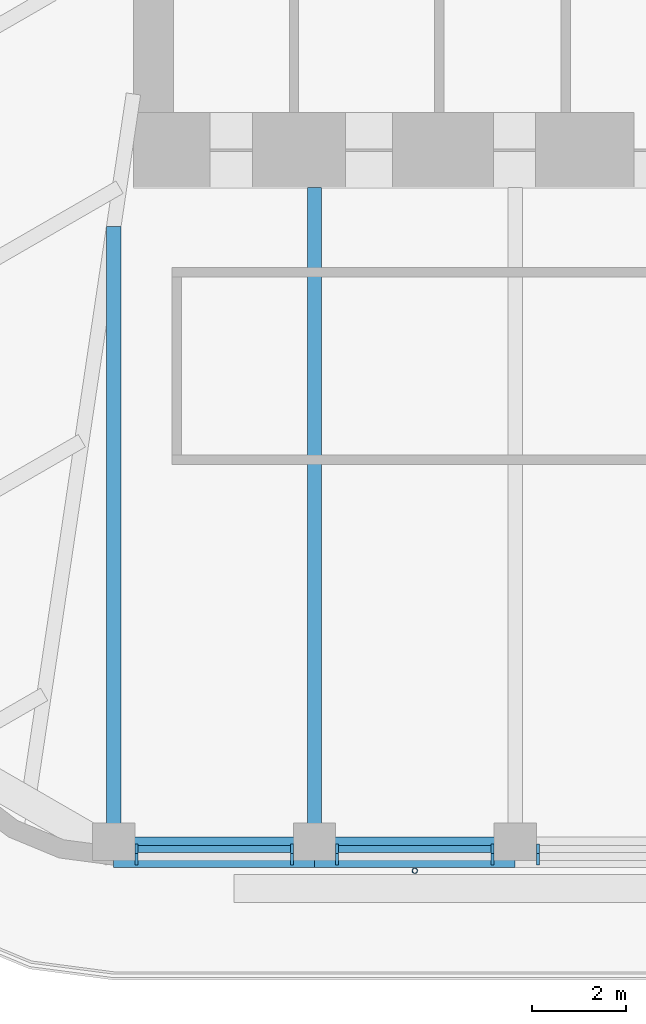
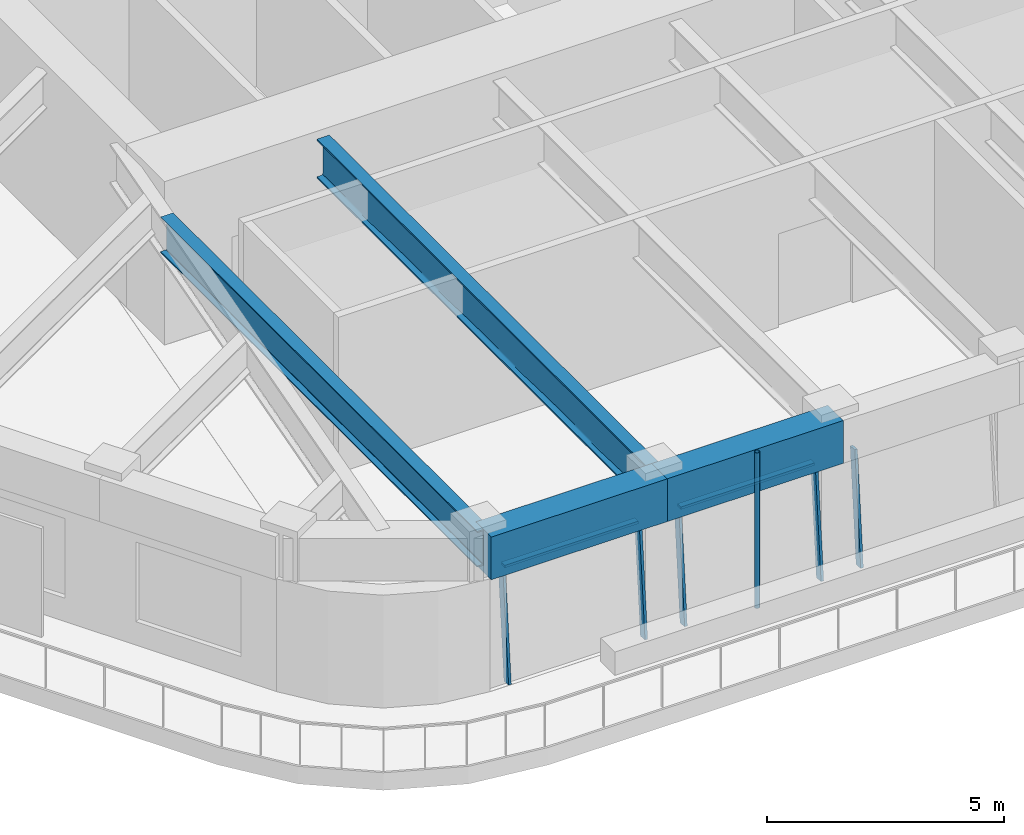
# One storey, part 2 of 19: 8 members, 4 beams, 3 elements without a shape of their own.
"""IFC4 building model written with IfcOpenShell, lengths in metres."""

import ifcopenshell
import ifcopenshell.guid

model = None  # the IFC model being written
_history = None  # IfcOwnerHistory: only IFC2X3 demands one
_inside = {}  # id of a spatial element -> (the spatial element, [elements in it])
_under = {}  # id of a project, library or spatial element -> (it, [spatial elements below it])
_declared = {}  # id of a project -> (the project, [libraries it declares])
_typed = {}  # id of a type object -> (the type object, [elements of that type])
_made_of = {}  # id of a material, layer set ... -> (it, [elements and type objects made of it])


def new_model(schema):
    """Start an empty IFC model of exactly this schema.

    Asked for "IFC4X3", IfcOpenShell would pick the latest addendum, in which some entities
    have other attributes; the version numbers below select the first issue.
    IFC2X3 requires an IfcOwnerHistory on every rooted entity: one is made here for all.
    """
    global model, _history
    if schema == "IFC4X3":
        model = ifcopenshell.file(schema_version=(4, 3, 0, 0))
    else:
        model = ifcopenshell.file(schema=schema)
    _inside.clear()
    _under.clear()
    _declared.clear()
    _typed.clear()
    _made_of.clear()
    _history = None
    if model.schema == "IFC2X3":
        org = make("IfcOrganization", Name="unknown")
        user = make(
            "IfcPersonAndOrganization",
            ThePerson=make("IfcPerson", FamilyName="unknown"),
            TheOrganization=org,
        )
        app = make(
            "IfcApplication",
            ApplicationDeveloper=org,
            Version="unknown",
            ApplicationFullName="unknown",
            ApplicationIdentifier="unknown",
        )
        _history = make(
            "IfcOwnerHistory",
            OwningUser=user,
            OwningApplication=app,
            ChangeAction="ADDED",
            CreationDate=0,
        )
    return model


def make(cls, **values):
    """One entity of the class cls with the attributes given. An attribute that is None is left unset."""
    return model.create_entity(
        cls, **{name: value for name, value in values.items() if value is not None}
    )


def rooted(cls, **values):
    """An entity with a GlobalId (a new one), such as an element, a storey or a relation."""
    return make(cls, GlobalId=ifcopenshell.guid.new(), OwnerHistory=_history, **values)


def si_unit(unit_type, name, prefix=None):
    """IfcSIUnit, for example si_unit("LENGTHUNIT", "METRE", prefix="MILLI")."""
    return make("IfcSIUnit", UnitType=unit_type, Prefix=prefix, Name=name)


def assignment(units):
    """IfcUnitAssignment: the units of a project."""
    return None if units is None else make("IfcUnitAssignment", Units=units)


def point(xyz):
    """IfcCartesianPoint."""
    return None if xyz is None else make("IfcCartesianPoint", Coordinates=xyz)


def direction(xyz):
    """IfcDirection."""
    return None if xyz is None else make("IfcDirection", DirectionRatios=xyz)


def frame(location, z_axis=None, x_axis=None):
    """IfcAxis2Placement3D, a coordinate frame: its origin and axes. An axis left out is left unset."""
    return make(
        "IfcAxis2Placement3D",
        Location=point(location),
        Axis=direction(z_axis),
        RefDirection=direction(x_axis),
    )


def frame_2d(location, x_axis=None):
    """IfcAxis2Placement2D, a coordinate frame in the plane: its origin and x axis."""
    return make(
        "IfcAxis2Placement2D", Location=point(location), RefDirection=direction(x_axis)
    )


def origin():
    """The frame at (0, 0, 0) with its axes left unset."""
    return frame((0.0, 0.0, 0.0))


def origin_2d():
    """The frame at (0, 0) in the plane with its x axis left unset."""
    return frame_2d((0.0, 0.0))


def place(relative_to, where):
    """IfcLocalPlacement: puts the frame where relative to a parent placement (None: the world)."""
    return make(
        "IfcLocalPlacement", PlacementRelTo=relative_to, RelativePlacement=where
    )


def context(
    kind, dimensions, precision=None, world=None, true_north=None, identifier=None
):
    """IfcGeometricRepresentationContext, for example the 3D "Model" context."""
    return make(
        "IfcGeometricRepresentationContext",
        ContextIdentifier=identifier,
        ContextType=kind,
        CoordinateSpaceDimension=dimensions,
        Precision=precision,
        WorldCoordinateSystem=world,
        TrueNorth=true_north,
    )


def subcontext(parent, identifier, kind, view, scale=None):
    """IfcGeometricRepresentationSubContext, for example "Body" below "Model"."""
    return make(
        "IfcGeometricRepresentationSubContext",
        ContextIdentifier=identifier,
        ContextType=kind,
        ParentContext=parent,
        TargetScale=scale,
        TargetView=view,
    )


def project(units=None, contexts=None):
    """IfcProject with its units and contexts."""
    return rooted(
        "IfcProject",
        Name="project",
        RepresentationContexts=contexts,
        UnitsInContext=assignment(units),
    )


def spatial(cls, under=None, at=None, **own):
    """A site, building, storey or space (cls), placed at a placement, below another one or the project."""
    s = rooted(cls, ObjectPlacement=at, **own)
    if under is not None:
        _under.setdefault(under.id(), (under, []))[1].append(s)
    return s


def profile(cls, at=None, kind="AREA", **sizes):
    """A parametric profile (cls). Its sizes go by their IFC names, for example OverallWidth=200.0."""
    return make(cls, ProfileType=kind, Position=at, **sizes)


def rectangle(**sizes):
    """IfcRectangleProfileDef."""
    return profile("IfcRectangleProfileDef", **sizes)


def hollow_circle(**sizes):
    """IfcCircleHollowProfileDef."""
    return profile("IfcCircleHollowProfileDef", **sizes)


def i_section(**sizes):
    """IfcIShapeProfileDef."""
    return profile("IfcIShapeProfileDef", **sizes)


def extrude(swept, where, along, depth):
    """IfcExtrudedAreaSolid: the profile swept, set in the frame where, extruded along a direction by depth."""
    return make(
        "IfcExtrudedAreaSolid",
        SweptArea=swept,
        Position=where,
        ExtrudedDirection=direction(along),
        Depth=depth,
    )


def shape(context_of_items, identifier, shape_type, items):
    """IfcShapeRepresentation: the items that make up one representation, for example the "Body"."""
    return make(
        "IfcShapeRepresentation",
        ContextOfItems=context_of_items,
        RepresentationIdentifier=identifier,
        RepresentationType=shape_type,
        Items=items,
    )


def material(Name=None, Category=None):
    """IfcMaterial."""
    return make("IfcMaterial", Name=Name, Category=Category)


def material_profile(
    of_material, cross_section, Name=None, Category=None, Priority=None
):
    """IfcMaterialProfile: a cross section and its material."""
    return make(
        "IfcMaterialProfile",
        Name=Name,
        Material=of_material,
        Profile=cross_section,
        Priority=Priority,
        Category=Category,
    )


def profile_set(profiles, Name=None, composite=None):
    """IfcMaterialProfileSet."""
    return make(
        "IfcMaterialProfileSet",
        Name=Name,
        MaterialProfiles=profiles,
        CompositeProfile=composite,
    )


def made_of(thing, what):
    """Note that an element or type object is made of a material, layer set ...; save() writes the relation."""
    if what is not None:
        _made_of.setdefault(what.id(), (what, []))[1].append(thing)
    return thing


def type_object(cls, material=None, **own):
    """A type object (cls), such as IfcWallType, which elements share."""
    return made_of(rooted(cls, **own), material)


def element(
    cls,
    number,
    at=None,
    inside=None,
    cuts=None,
    type_object=None,
    material=None,
    context=None,
    identifier="Body",
    shape_type=None,
    held_by="IfcProductDefinitionShape",
    body=None,
    shapes=None,
    **own,
):
    """One element of the class cls, such as IfcWall. Its Tag is "e" and its number.

    at: its placement. inside: the storey or other place that contains it. cuts: it is an
    opening in that element (IfcRelVoidsElement). A single representation is given by context,
    identifier, shape_type and body (its items); several are given by shapes. held_by: the class
    of the entity that holds the representations. save() writes the other relations.
    """
    e = rooted(cls, Tag="e%d" % number, ObjectPlacement=at, **own)
    if body is not None:
        shapes = [shape(context, identifier, shape_type, body)]
    if shapes is not None:
        e.Representation = make(held_by, Representations=shapes)
    if inside is not None:
        _inside.setdefault(inside.id(), (inside, []))[1].append(e)
    if cuts is not None:
        rooted(
            "IfcRelVoidsElement", RelatingBuildingElement=cuts, RelatedOpeningElement=e
        )
    if type_object is not None:
        _typed.setdefault(type_object.id(), (type_object, []))[1].append(e)
    return made_of(e, material)


def aggregate(whole, parts):
    """IfcRelAggregates: a whole, such as a stair, and the parts it consists of."""
    return rooted("IfcRelAggregates", RelatingObject=whole, RelatedObjects=parts)


def save(model, path):
    """Write the relations noted so far, then the file.

    IfcRelAggregates (storeys below a building ...), IfcRelContainedInSpatialStructure (elements
    in a storey), IfcRelDefinesByType, IfcRelAssociatesMaterial and IfcRelDeclares: one each for
    every whole, place, type object, material and project.
    """
    for whole, parts in _under.values():
        aggregate(whole, parts)
    for where, things in _inside.values():
        rooted(
            "IfcRelContainedInSpatialStructure",
            RelatedElements=things,
            RelatingStructure=where,
        )
    for kind, things in _typed.values():
        rooted("IfcRelDefinesByType", RelatedObjects=things, RelatingType=kind)
    for what, things in _made_of.values():
        rooted("IfcRelAssociatesMaterial", RelatedObjects=things, RelatingMaterial=what)
    for by, libraries in _declared.values():
        rooted("IfcRelDeclares", RelatingContext=by, RelatedDefinitions=libraries)
    model.write(path)


model = new_model("IFC4")

# Units and contexts
model_context = context("Model", 3, precision=1e-05, world=origin(), true_north=direction((0.0, 1.0)))
body_context = subcontext(model_context, "Body", "Model", "MODEL_VIEW")
ifc_project = project(units=[si_unit("LENGTHUNIT", "METRE"), si_unit("AREAUNIT", "SQUARE_METRE"), si_unit("VOLUMEUNIT", "CUBIC_METRE"), si_unit("PLANEANGLEUNIT", "RADIAN"), si_unit("MASSUNIT", "GRAM", prefix="KILO")], contexts=[model_context])

# Site, building, storey
site_placement = place(None, origin())
site = spatial("IfcSite", under=ifc_project, at=site_placement, CompositionType="ELEMENT")
building_placement = place(site_placement, origin())
building = spatial("IfcBuilding", under=site, at=building_placement, Name="Tarfa Lantern Tower", CompositionType="ELEMENT")
storey_placement = place(building_placement, frame((0.0, 0.0, 353.5)))
storey = spatial("IfcBuildingStorey", under=building, at=storey_placement, Name="L80", CompositionType="ELEMENT", Elevation=353.5)

# Curtain wall, members
ifc_material_1 = material(Name="Aluminium framed curtain wall", Category="aluminium")
curtain_wall_type = type_object("IfcCurtainWallType", Name="CW4 CANTED GLAZING EXECUTIVE ZONE 2900", PredefinedType="USERDEFINED", material=ifc_material_1)
curtain_wall_1_placement = place(storey_placement, origin())
curtain_wall_1 = element("IfcCurtainWall", 1, at=curtain_wall_1_placement, inside=storey, type_object=curtain_wall_type, Name="CW4 S L80", ObjectType="CURTAIN WALL", PredefinedType="USERDEFINED")
ifc_material_2 = material(Name="Aluminium mullion", Category="aluminium")
ifc_material_profile_1 = material_profile(ifc_material_2, rectangle(XDim=0.06494140625, YDim=0.199951171875, at=origin_2d()), Name="AL MULLION 65x200")
ifc_profile_set_1 = profile_set([ifc_material_profile_1], Name="Aluminium mullion")
member_type_1 = type_object("IfcMemberType", Name="CWM1 MULLION 65x200", PredefinedType="MULLION", material=ifc_profile_set_1)
member_1_placement = place(storey_placement, frame((-12.363525390625, -26.64990234375, 0.0), z_axis=(0.0, 0.085891213166, 0.99630452147), x_axis=(-1.0, 0.0, 0.0)))
member_1 = element("IfcMember", 2, at=member_1_placement, type_object=member_type_1, Name="CW4 mullion 1", PredefinedType="MULLION", context=body_context, shape_type="SweptSolid", body=[
    extrude(rectangle(XDim=0.06494140625, YDim=0.199951171875, at=origin_2d()), origin(), (0.0, 0.0, 1.0), 2.91064453125),
])
member_2_placement = place(storey_placement, frame((-9.046630859375, -26.64990234375, 0.0), z_axis=(0.0, 0.085891213166, 0.99630452147), x_axis=(-1.0, 0.0, 0.0)))
member_2 = element("IfcMember", 3, at=member_2_placement, type_object=member_type_1, Name="CW4 mullion 2", PredefinedType="MULLION", context=body_context, shape_type="SweptSolid", body=[
    extrude(rectangle(XDim=0.06494140625, YDim=0.199951171875, at=origin_2d()), origin(), (0.0, 0.0, 1.0), 2.91064453125),
])

curtain_wall_2_placement = place(storey_placement, origin())
curtain_wall_2 = element("IfcCurtainWall", 4, at=curtain_wall_2_placement, inside=storey, type_object=curtain_wall_type, Name="CW4 S L80", ObjectType="CURTAIN WALL", PredefinedType="USERDEFINED")
member_3_placement = place(storey_placement, frame((-8.08154296875, -26.64990234375, 0.0), z_axis=(0.0, 0.085891213166, 0.99630452147), x_axis=(-1.0, 0.0, 0.0)))
member_3 = element("IfcMember", 5, at=member_3_placement, type_object=member_type_1, Name="CW4 mullion 1", PredefinedType="MULLION", context=body_context, shape_type="SweptSolid", body=[
    extrude(rectangle(XDim=0.06494140625, YDim=0.199951171875, at=origin_2d()), origin(), (0.0, 0.0, 1.0), 2.91064453125),
])
member_4_placement = place(storey_placement, frame((-4.764404296875, -26.64990234375, 0.0), z_axis=(0.0, 0.085891213166, 0.99630452147), x_axis=(-1.0, 0.0, 0.0)))
member_4 = element("IfcMember", 6, at=member_4_placement, type_object=member_type_1, Name="CW4 mullion 2", PredefinedType="MULLION", context=body_context, shape_type="SweptSolid", body=[
    extrude(rectangle(XDim=0.06494140625, YDim=0.199951171875, at=origin_2d()), origin(), (0.0, 0.0, 1.0), 2.91064453125),
])

# Curtain wall, member
curtain_wall_3_placement = place(storey_placement, origin())
curtain_wall_3 = element("IfcCurtainWall", 7, at=curtain_wall_3_placement, inside=storey, type_object=curtain_wall_type, Name="CW4 S L80", ObjectType="CURTAIN WALL", PredefinedType="USERDEFINED")
member_5_placement = place(storey_placement, frame((-3.799560546875, -26.64990234375, 0.0), z_axis=(0.0, 0.085891213166, 0.99630452147), x_axis=(-1.0, 0.0, 0.0)))
member_5 = element("IfcMember", 8, at=member_5_placement, type_object=member_type_1, Name="CW4 mullion 1", PredefinedType="MULLION", context=body_context, shape_type="SweptSolid", body=[
    extrude(rectangle(XDim=0.06494140625, YDim=0.199951171875, at=origin_2d()), origin(), (0.0, 0.0, 1.0), 2.91064453125),
])
aggregate(curtain_wall_3, [member_5])

# Member
ifc_material_3 = material(Name="Aluminium transom", Category="aluminium")
ifc_material_profile_2 = material_profile(ifc_material_3, rectangle(XDim=0.14990234375, YDim=0.06494140625, at=origin_2d()), Name="AL TRANSOM 150x65")
ifc_profile_set_2 = profile_set([ifc_material_profile_2], Name="Aluminium transom")
member_type_2 = type_object("IfcMemberType", Name="CWT1 TRANSOM 150x65", PredefinedType="USERDEFINED", material=ifc_profile_set_2)
member_6_placement = place(storey_placement, frame((-12.3310546875, -26.40283203125, 2.867431640625), z_axis=(1.0, 0.0, 0.0), x_axis=(0.0, 1.0, 0.0)))
member_6 = element("IfcMember", 9, at=member_6_placement, type_object=member_type_2, Name="CW4 transom 1.2", ObjectType="TRANSOM", PredefinedType="USERDEFINED", context=body_context, shape_type="SweptSolid", body=[
    extrude(rectangle(XDim=0.14990234375, YDim=0.06494140625, at=origin_2d()), origin(), (0.0, 0.0, 1.0), 3.251953125),
])

aggregate(curtain_wall_1, [member_1, member_2, member_6])

member_7_placement = place(storey_placement, frame((-8.049072265625, -26.40283203125, 2.867431640625), z_axis=(1.0, 0.0, 0.0), x_axis=(0.0, 1.0, 0.0)))
member_7 = element("IfcMember", 10, at=member_7_placement, type_object=member_type_2, Name="CW4 transom 1.2", ObjectType="TRANSOM", PredefinedType="USERDEFINED", context=body_context, shape_type="SweptSolid", body=[
    extrude(rectangle(XDim=0.14990234375, YDim=0.06494140625, at=origin_2d()), origin(), (0.0, 0.0, 1.0), 3.251953125),
])

aggregate(curtain_wall_2, [member_3, member_4, member_7])

# Beams
ifc_material_4 = material(Name="Concrete C80/95", Category="concrete")
ifc_material_profile_3 = material_profile(ifc_material_4, rectangle(XDim=0.64990234375, YDim=1.10009765625, at=origin_2d()), Name="RC 650x1100")
ifc_profile_set_3 = profile_set([ifc_material_profile_3], Name="Concrete C80/95")
beam_type_1 = type_object("IfcBeamType", Name="EB4 RC 650x1100", PredefinedType="SPANDREL", material=ifc_profile_set_3)
for number, where, z_axis, x_axis, name in (
    (11, (-12.845947265625, -26.469970703125, 3.449951171875), (1.0, 0.0, 0.0), (0.0, 1.0, 0.0), "Edge beam S0"),
    (12, (-8.56396484375, -26.469970703125, 3.449951171875), (1.0, 0.0, 0.0), (0.0, 1.0, 0.0), "Edge beam S1"),
):
    element("IfcBeam", number, at=place(storey_placement, frame(where, z_axis=z_axis, x_axis=x_axis)), inside=storey, type_object=beam_type_1, Name=name, PredefinedType="SPANDREL", context=body_context, shape_type="SweptSolid", body=[
        extrude(rectangle(XDim=0.64990234375, YDim=1.10009765625, at=origin_2d()), origin(), (0.0, 0.0, 1.0), 4.281982421875),
    ])

# Member
ifc_material_5 = material(Name="Steel S355", Category="steel")
ifc_material_profile_4 = material_profile(ifc_material_5, hollow_circle(Radius=0.05712890625, WallThickness=0.00634765625, at=origin_2d()), Name="CHS114.3x6.3")
ifc_profile_set_4 = profile_set([ifc_material_profile_4], Name="Steel S355")
member_type_3 = type_object("IfcMemberType", Name="TR1 GREEN WALL TRELLIS CHS114.3x6.3", PredefinedType="USERDEFINED", material=ifc_profile_set_4)
member_8_placement = place(storey_placement, frame((-6.423095703125, -26.8701171875, 0.0), z_axis=(0.0, 0.0, 1.0), x_axis=(1.0, 0.0, 0.0)))
element("IfcMember", 13, at=member_8_placement, inside=storey, type_object=member_type_3, Name="Trellis post S 1", ObjectType="TRELLIS", PredefinedType="USERDEFINED", context=body_context, shape_type="SweptSolid", body=[
    extrude(hollow_circle(Radius=0.05712890625, WallThickness=0.00634765625, at=origin_2d()), origin(), (0.0, 0.0, 1.0), 4.0),
])

# Beams
ifc_material_6 = material(Name="Steel S460M", Category="steel")
ifc_material_profile_5 = material_profile(ifc_material_6, i_section(OverallWidth=0.302001953125, OverallDepth=1.008056640625, WebThickness=0.02099609375, FlangeThickness=0.0400390625, FilletRadius=0.030029296875, at=origin_2d()), Name="UB1016x305x349")
ifc_profile_set_5 = profile_set([ifc_material_profile_5], Name="Steel S460M")
beam_type_2 = type_object("IfcBeamType", Name="UB1016x305x349", PredefinedType="BEAM", material=ifc_profile_set_5)
beam_1_placement = place(storey_placement, frame((-8.56396484375, -26.469970703125, 3.495849609375), z_axis=(0.0, 1.0, 0.0), x_axis=(-1.0, 0.0, 0.0)))
element("IfcBeam", 14, at=beam_1_placement, inside=storey, type_object=beam_type_2, Name="Floor beam S1", PredefinedType="BEAM", context=body_context, shape_type="SweptSolid", body=[
    extrude(i_section(OverallWidth=0.302001953125, OverallDepth=1.008056640625, WebThickness=0.02099609375, FlangeThickness=0.0400390625, FilletRadius=0.030029296875, at=origin_2d()), origin(), (0.0, 0.0, 1.0), 14.169921875),
])
ifc_material_profile_6 = material_profile(ifc_material_6, i_section(OverallWidth=0.305419921875, OverallDepth=0.91845703125, WebThickness=0.017333984375, FlangeThickness=0.02783203125, FilletRadius=0.01904296875, at=origin_2d()), Name="UB914x305x253")
ifc_profile_set_6 = profile_set([ifc_material_profile_6], Name="Steel S460M")
beam_type_3 = type_object("IfcBeamType", Name="UB914x305x253", PredefinedType="BEAM", material=ifc_profile_set_6)
beam_2_placement = place(storey_placement, frame((-12.845947265625, -26.469970703125, 3.540771484375), z_axis=(0.0, 1.0, 0.0), x_axis=(-1.0, 0.0, 0.0)))
element("IfcBeam", 15, at=beam_2_placement, inside=storey, type_object=beam_type_3, Name="Floor beam S0", PredefinedType="BEAM", context=body_context, shape_type="SweptSolid", body=[
    extrude(i_section(OverallWidth=0.305419921875, OverallDepth=0.91845703125, WebThickness=0.017333984375, FlangeThickness=0.02783203125, FilletRadius=0.01904296875, at=origin_2d()), origin(), (0.0, 0.0, 1.0), 13.33935546875),
])

save(model, "model.ifc")
